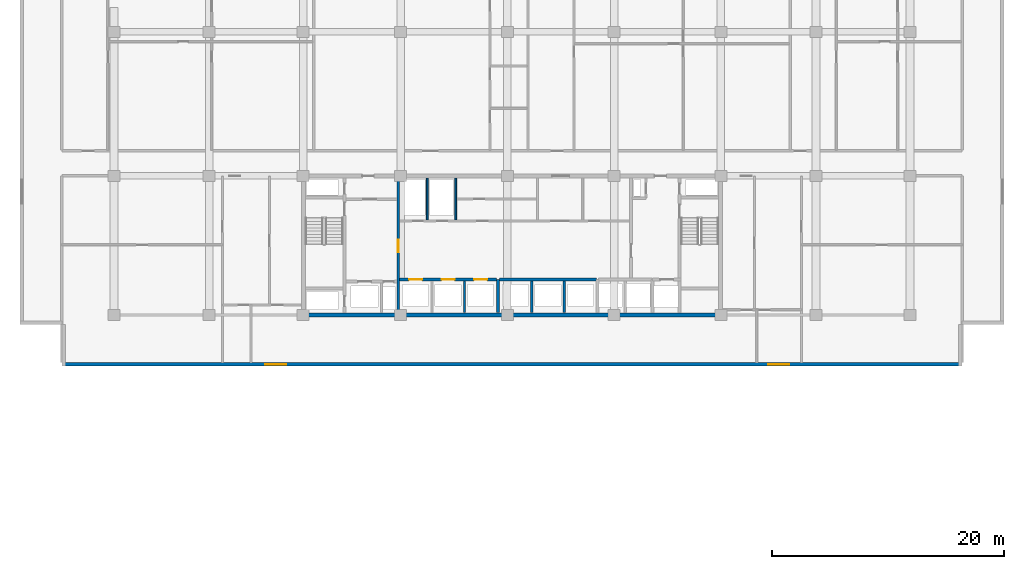
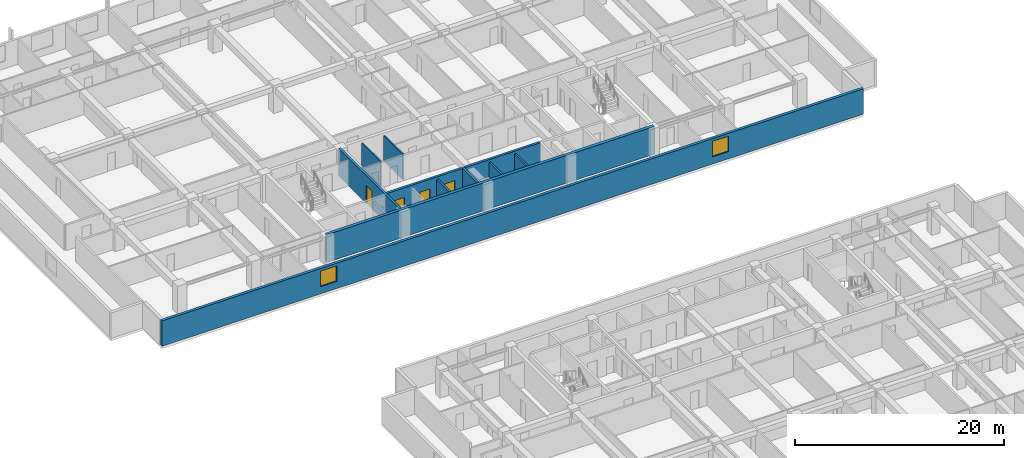
# One storey, part 11 of 23: 11 walls, 4 doors, 2 windows, 6 openings.
"""IFC4 building model written with IfcOpenShell, lengths in metres."""

import ifcopenshell
import ifcopenshell.guid

model = None  # the IFC model being written
_history = None  # IfcOwnerHistory: only IFC2X3 demands one
_inside = {}  # id of a spatial element -> (the spatial element, [elements in it])
_under = {}  # id of a project, library or spatial element -> (it, [spatial elements below it])
_declared = {}  # id of a project -> (the project, [libraries it declares])
_typed = {}  # id of a type object -> (the type object, [elements of that type])
_made_of = {}  # id of a material, layer set ... -> (it, [elements and type objects made of it])


def new_model(schema):
    """Start an empty IFC model of exactly this schema.

    Asked for "IFC4X3", IfcOpenShell would pick the latest addendum, in which some entities
    have other attributes; the version numbers below select the first issue.
    IFC2X3 requires an IfcOwnerHistory on every rooted entity: one is made here for all.
    """
    global model, _history
    if schema == "IFC4X3":
        model = ifcopenshell.file(schema_version=(4, 3, 0, 0))
    else:
        model = ifcopenshell.file(schema=schema)
    _inside.clear()
    _under.clear()
    _declared.clear()
    _typed.clear()
    _made_of.clear()
    _history = None
    if model.schema == "IFC2X3":
        org = make("IfcOrganization", Name="unknown")
        user = make(
            "IfcPersonAndOrganization",
            ThePerson=make("IfcPerson", FamilyName="unknown"),
            TheOrganization=org,
        )
        app = make(
            "IfcApplication",
            ApplicationDeveloper=org,
            Version="unknown",
            ApplicationFullName="unknown",
            ApplicationIdentifier="unknown",
        )
        _history = make(
            "IfcOwnerHistory",
            OwningUser=user,
            OwningApplication=app,
            ChangeAction="ADDED",
            CreationDate=0,
        )
    return model


def make(cls, **values):
    """One entity of the class cls with the attributes given. An attribute that is None is left unset."""
    return model.create_entity(
        cls, **{name: value for name, value in values.items() if value is not None}
    )


def rooted(cls, **values):
    """An entity with a GlobalId (a new one), such as an element, a storey or a relation."""
    return make(cls, GlobalId=ifcopenshell.guid.new(), OwnerHistory=_history, **values)


def si_unit(unit_type, name, prefix=None):
    """IfcSIUnit, for example si_unit("LENGTHUNIT", "METRE", prefix="MILLI")."""
    return make("IfcSIUnit", UnitType=unit_type, Prefix=prefix, Name=name)


def assignment(units):
    """IfcUnitAssignment: the units of a project."""
    return None if units is None else make("IfcUnitAssignment", Units=units)


def point(xyz):
    """IfcCartesianPoint."""
    return None if xyz is None else make("IfcCartesianPoint", Coordinates=xyz)


def direction(xyz):
    """IfcDirection."""
    return None if xyz is None else make("IfcDirection", DirectionRatios=xyz)


def frame(location, z_axis=None, x_axis=None):
    """IfcAxis2Placement3D, a coordinate frame: its origin and axes. An axis left out is left unset."""
    return make(
        "IfcAxis2Placement3D",
        Location=point(location),
        Axis=direction(z_axis),
        RefDirection=direction(x_axis),
    )


def frame_2d(location, x_axis=None):
    """IfcAxis2Placement2D, a coordinate frame in the plane: its origin and x axis."""
    return make(
        "IfcAxis2Placement2D", Location=point(location), RefDirection=direction(x_axis)
    )


def origin():
    """The frame at (0, 0, 0) with its axes left unset."""
    return frame((0.0, 0.0, 0.0))


def place(relative_to, where):
    """IfcLocalPlacement: puts the frame where relative to a parent placement (None: the world)."""
    return make(
        "IfcLocalPlacement", PlacementRelTo=relative_to, RelativePlacement=where
    )


def context(
    kind, dimensions, precision=None, world=None, true_north=None, identifier=None
):
    """IfcGeometricRepresentationContext, for example the 3D "Model" context."""
    return make(
        "IfcGeometricRepresentationContext",
        ContextIdentifier=identifier,
        ContextType=kind,
        CoordinateSpaceDimension=dimensions,
        Precision=precision,
        WorldCoordinateSystem=world,
        TrueNorth=true_north,
    )


def subcontext(parent, identifier, kind, view, scale=None):
    """IfcGeometricRepresentationSubContext, for example "Body" below "Model"."""
    return make(
        "IfcGeometricRepresentationSubContext",
        ContextIdentifier=identifier,
        ContextType=kind,
        ParentContext=parent,
        TargetScale=scale,
        TargetView=view,
    )


def project(units=None, contexts=None):
    """IfcProject with its units and contexts."""
    return rooted(
        "IfcProject",
        Name="project",
        RepresentationContexts=contexts,
        UnitsInContext=assignment(units),
    )


def spatial(cls, under=None, at=None, **own):
    """A site, building, storey or space (cls), placed at a placement, below another one or the project."""
    s = rooted(cls, ObjectPlacement=at, **own)
    if under is not None:
        _under.setdefault(under.id(), (under, []))[1].append(s)
    return s


def profile(cls, at=None, kind="AREA", **sizes):
    """A parametric profile (cls). Its sizes go by their IFC names, for example OverallWidth=200.0."""
    return make(cls, ProfileType=kind, Position=at, **sizes)


def rectangle(**sizes):
    """IfcRectangleProfileDef."""
    return profile("IfcRectangleProfileDef", **sizes)


def extrude(swept, where, along, depth):
    """IfcExtrudedAreaSolid: the profile swept, set in the frame where, extruded along a direction by depth."""
    return make(
        "IfcExtrudedAreaSolid",
        SweptArea=swept,
        Position=where,
        ExtrudedDirection=direction(along),
        Depth=depth,
    )


def shape(context_of_items, identifier, shape_type, items):
    """IfcShapeRepresentation: the items that make up one representation, for example the "Body"."""
    return make(
        "IfcShapeRepresentation",
        ContextOfItems=context_of_items,
        RepresentationIdentifier=identifier,
        RepresentationType=shape_type,
        Items=items,
    )


def material(Name=None, Category=None):
    """IfcMaterial."""
    return make("IfcMaterial", Name=Name, Category=Category)


def layer(
    of_material, thickness, ventilated=None, Name=None, Category=None, Priority=None
):
    """IfcMaterialLayer: one layer of a wall or slab, of a material (None: an air gap)."""
    return make(
        "IfcMaterialLayer",
        Material=of_material,
        LayerThickness=thickness,
        IsVentilated=ventilated,
        Name=Name,
        Category=Category,
        Priority=Priority,
    )


def layer_set(layers, Name=None):
    """IfcMaterialLayerSet."""
    return make("IfcMaterialLayerSet", MaterialLayers=layers, LayerSetName=Name)


def made_of(thing, what):
    """Note that an element or type object is made of a material, layer set ...; save() writes the relation."""
    if what is not None:
        _made_of.setdefault(what.id(), (what, []))[1].append(thing)
    return thing


def type_object(cls, material=None, **own):
    """A type object (cls), such as IfcWallType, which elements share."""
    return made_of(rooted(cls, **own), material)


def element(
    cls,
    number,
    at=None,
    inside=None,
    cuts=None,
    type_object=None,
    material=None,
    context=None,
    identifier="Body",
    shape_type=None,
    held_by="IfcProductDefinitionShape",
    body=None,
    shapes=None,
    **own,
):
    """One element of the class cls, such as IfcWall. Its Tag is "e" and its number.

    at: its placement. inside: the storey or other place that contains it. cuts: it is an
    opening in that element (IfcRelVoidsElement). A single representation is given by context,
    identifier, shape_type and body (its items); several are given by shapes. held_by: the class
    of the entity that holds the representations. save() writes the other relations.
    """
    e = rooted(cls, Tag="e%d" % number, ObjectPlacement=at, **own)
    if body is not None:
        shapes = [shape(context, identifier, shape_type, body)]
    if shapes is not None:
        e.Representation = make(held_by, Representations=shapes)
    if inside is not None:
        _inside.setdefault(inside.id(), (inside, []))[1].append(e)
    if cuts is not None:
        rooted(
            "IfcRelVoidsElement", RelatingBuildingElement=cuts, RelatedOpeningElement=e
        )
    if type_object is not None:
        _typed.setdefault(type_object.id(), (type_object, []))[1].append(e)
    return made_of(e, material)


def fill(opening, filler):
    """IfcRelFillsElement: the door or window that sits in an opening."""
    return rooted(
        "IfcRelFillsElement",
        RelatingOpeningElement=opening,
        RelatedBuildingElement=filler,
    )


def aggregate(whole, parts):
    """IfcRelAggregates: a whole, such as a stair, and the parts it consists of."""
    return rooted("IfcRelAggregates", RelatingObject=whole, RelatedObjects=parts)


def save(model, path):
    """Write the relations noted so far, then the file.

    IfcRelAggregates (storeys below a building ...), IfcRelContainedInSpatialStructure (elements
    in a storey), IfcRelDefinesByType, IfcRelAssociatesMaterial and IfcRelDeclares: one each for
    every whole, place, type object, material and project.
    """
    for whole, parts in _under.values():
        aggregate(whole, parts)
    for where, things in _inside.values():
        rooted(
            "IfcRelContainedInSpatialStructure",
            RelatedElements=things,
            RelatingStructure=where,
        )
    for kind, things in _typed.values():
        rooted("IfcRelDefinesByType", RelatedObjects=things, RelatingType=kind)
    for what, things in _made_of.values():
        rooted("IfcRelAssociatesMaterial", RelatedObjects=things, RelatingMaterial=what)
    for by, libraries in _declared.values():
        rooted("IfcRelDeclares", RelatingContext=by, RelatedDefinitions=libraries)
    model.write(path)


model = new_model("IFC4")

# Units and contexts
model_context = context("Model", 3, precision=1e-05, world=origin(), true_north=direction((0.0, 1.0)))
body_context = subcontext(model_context, "Body", "Model", "MODEL_VIEW")
ifc_project = project(units=[si_unit("LENGTHUNIT", "METRE"), si_unit("AREAUNIT", "SQUARE_METRE"), si_unit("VOLUMEUNIT", "CUBIC_METRE"), si_unit("PLANEANGLEUNIT", "RADIAN"), si_unit("MASSUNIT", "GRAM", prefix="KILO")], contexts=[model_context])

# Site, building, storey
site_placement = place(None, origin())
site = spatial("IfcSite", under=ifc_project, at=site_placement, CompositionType="ELEMENT")
building_placement = place(site_placement, origin())
building = spatial("IfcBuilding", under=site, at=building_placement, Name="Korimba Cascade Residences", CompositionType="ELEMENT")
storey_placement = place(building_placement, frame((0.0, 0.0, 53.25)))
storey = spatial("IfcBuildingStorey", under=building, at=storey_placement, Name="L14", CompositionType="ELEMENT", Elevation=53.25)

# Wall, openings, windows
ifc_material_1 = material(Name="Precast concrete C40/50", Category="concrete")
ifc_layer_1 = layer(ifc_material_1, 0.300048828125)
ifc_layer_set_1 = layer_set([ifc_layer_1], Name="Precast concrete C40/50")
wall_type_1 = type_object("IfcWallType", Name="EW-STONE-300", PredefinedType="STANDARD", material=ifc_layer_set_1)
wall_1_placement = place(storey_placement, frame((55.300048828125, 50.949951171875, 0.0), z_axis=(0.0, 0.0, 1.0), x_axis=(1.0, 0.0, 0.0)))
wall_1 = element("IfcWall", 1, at=wall_1_placement, inside=storey, type_object=wall_type_1, Name="L14 T1 Perimeter Stone Wall E00", PredefinedType="STANDARD", context=body_context, shape_type="SweptSolid", body=[
    extrude(rectangle(XDim=77.599853515625, YDim=0.300048828125, at=frame_2d((38.7998046875, 0.0))), origin(), (0.0, 0.0, 1.0), 2.969970703125),
])
opening_1_placement = place(wall_1_placement, frame((17.52490234375, 0.0, 0.85009765625)))
opening_1 = element("IfcOpeningElement", 2, at=opening_1_placement, cuts=wall_1, Name="Opening W-02", PredefinedType="OPENING", context=body_context, shape_type="SweptSolid", body=[
    extrude(rectangle(XDim=1.800048828125, YDim=1.800048828125, at=frame_2d((0.89990234375, 0.89990234375))), frame((0.0, 0.16015625, 0.0), z_axis=(0.0, -1.0, 0.0), x_axis=(1.0, 0.0, 0.0)), (0.0, 0.0, 1.0), 0.320068359375),
])
opening_2_placement = place(wall_1_placement, frame((60.875, 0.0, 0.85009765625)))
opening_2 = element("IfcOpeningElement", 3, at=opening_2_placement, cuts=wall_1, Name="Opening W-02", PredefinedType="OPENING", context=body_context, shape_type="SweptSolid", body=[
    extrude(rectangle(XDim=1.800048828125, YDim=1.800048828125, at=frame_2d((0.89990234375, 0.89990234375))), frame((0.0, 0.16015625, 0.0), z_axis=(0.0, -1.0, 0.0), x_axis=(1.0, 0.0, 0.0)), (0.0, 0.0, 1.0), 0.320068359375),
])
ifc_material_2 = material(Name="Double-Glazed Aluminium Window", Category="aluminium")
window_type = type_object("IfcWindowType", Name="WIN-BED-1800", PartitioningType="SINGLE_PANEL", PredefinedType="WINDOW", material=ifc_material_2)
window_1_placement = place(opening_1_placement, origin())
window_1 = element("IfcWindow", 4, at=window_1_placement, inside=storey, type_object=window_type, Name="L14 T1 South Corner Bedroom Window 1", OverallHeight=1.800048828125, OverallWidth=1.800048828125, PartitioningType="SINGLE_PANEL", PredefinedType="WINDOW", context=body_context, shape_type="SweptSolid", body=[
    extrude(rectangle(XDim=1.800048828125, YDim=1.800048828125, at=frame_2d((0.89990234375, 0.89990234375))), frame((0.0, 0.030029296875, 0.0), z_axis=(0.0, -1.0, 0.0), x_axis=(1.0, 0.0, 0.0)), (0.0, 0.0, 1.0), 0.06005859375),
])
fill(opening_1, window_1)
window_2_placement = place(opening_2_placement, origin())
window_2 = element("IfcWindow", 5, at=window_2_placement, inside=storey, type_object=window_type, Name="L14 T1 South Corner Bedroom Window 2", OverallHeight=1.800048828125, OverallWidth=1.800048828125, PartitioningType="SINGLE_PANEL", PredefinedType="WINDOW", context=body_context, shape_type="SweptSolid", body=[
    extrude(rectangle(XDim=1.800048828125, YDim=1.800048828125, at=frame_2d((0.89990234375, 0.89990234375))), frame((0.0, 0.030029296875, 0.0), z_axis=(0.0, -1.0, 0.0), x_axis=(1.0, 0.0, 0.0)), (0.0, 0.0, 1.0), 0.06005859375),
])
fill(opening_2, window_2)

# Walls
ifc_material_3 = material(Name="Concrete C65/80", Category="concrete")
ifc_layer_2 = layer(ifc_material_3, 0.35009765625)
ifc_layer_set_2 = layer_set([ifc_layer_2], Name="Concrete C65/80")
wall_type_2 = type_object("IfcWallType", Name="WAL-CORE-350", PredefinedType="SHEAR", material=ifc_layer_set_2)
wall_2_placement = place(storey_placement, frame((75.949951171875, 55.199951171875, 0.0), z_axis=(0.0, 0.0, 1.0), x_axis=(1.0, 0.0, 0.0)))
element("IfcWall", 6, at=wall_2_placement, inside=storey, type_object=wall_type_2, Name="L14 Core Shear Wall CW-L14-T1-S", PredefinedType="SHEAR", context=body_context, shape_type="SweptSolid", body=[
    extrude(rectangle(XDim=36.300048828125, YDim=0.35009765625, at=frame_2d((18.14990234375, 0.0))), origin(), (0.0, 0.0, 1.0), 3.25),
])
ifc_material_4 = material(Name="Insulated Acoustic Stud Partition", Category="gypsum")
ifc_layer_3 = layer(ifc_material_4, 0.14990234375)
ifc_layer_set_3 = layer_set([ifc_layer_3], Name="Insulated Acoustic Stud Partition")
wall_type_3 = type_object("IfcWallType", Name="WAL-PART-150", PredefinedType="PARTITIONING", material=ifc_layer_set_3)
for number, where, z_axis, x_axis, name in (
    (7, (86.800048828125, 63.39990234375, 0.0), (0.0, 0.0, 1.0), (0.0, 1.0, 0.0), "L14 Partition Wall CW-L14-T1-ERDIV"),
    (8, (89.25, 63.39990234375, 0.0), (0.0, 0.0, 1.0), (0.0, 1.0, 0.0), "L14 Partition Wall CW-L14-T1-PRDIV"),
):
    element("IfcWall", number, at=place(storey_placement, frame(where, z_axis=z_axis, x_axis=x_axis)), inside=storey, type_object=wall_type_3, Name=name, PredefinedType="PARTITIONING", context=body_context, shape_type="SweptSolid", body=[
        extrude(rectangle(XDim=3.60009765625, YDim=0.14990234375, at=frame_2d((1.800048828125, 0.0))), origin(), (0.0, 0.0, 1.0), 2.969970703125),
    ])
ifc_material_5 = material(Name="Concrete C40/50", Category="concrete")
ifc_layer_4 = layer(ifc_material_5, 0.199951171875)
ifc_layer_set_4 = layer_set([ifc_layer_4], Name="Concrete C40/50")
wall_type_4 = type_object("IfcWallType", Name="WAL-PART-200", PredefinedType="PARTITIONING", material=ifc_layer_set_4)
for number, where, z_axis, x_axis, name in (
    (9, (90.0, 55.39990234375, 0.0), (0.0, 0.0, 1.0), (0.0, 1.0, 0.0), "L14 Partition Wall CW-L14-T1-B1D2"),
    (10, (95.800048828125, 55.39990234375, 0.0), (0.0, 0.0, 1.0), (0.0, 1.0, 0.0), "L14 Partition Wall CW-L14-T1-B2D1"),
    (11, (98.60009765625, 55.39990234375, 0.0), (0.0, 0.0, 1.0), (0.0, 1.0, 0.0), "L14 Partition Wall CW-L14-T1-B2D2"),
):
    element("IfcWall", number, at=place(storey_placement, frame(where, z_axis=z_axis, x_axis=x_axis)), inside=storey, type_object=wall_type_4, Name=name, PredefinedType="PARTITIONING", context=body_context, shape_type="SweptSolid", body=[
        extrude(rectangle(XDim=2.72021484375, YDim=0.199951171875, at=frame_2d((1.360107421875, 0.0))), origin(), (0.0, 0.0, 1.0), 2.969970703125),
    ])

# Wall, opening, door
ifc_material_6 = material(Name="Concrete C50/60", Category="concrete")
ifc_layer_5 = layer(ifc_material_6, 0.25)
ifc_layer_set_5 = layer_set([ifc_layer_5], Name="Concrete C50/60")
wall_type_5 = type_object("IfcWallType", Name="WAL-SHAFT-250", PredefinedType="SHEAR", material=ifc_layer_set_5)
wall_3_placement = place(storey_placement, frame((84.300048828125, 55.39990234375, 0.0), z_axis=(0.0, 0.0, 1.0), x_axis=(0.0, 1.0, 0.0)))
wall_3 = element("IfcWall", 12, at=wall_3_placement, inside=storey, type_object=wall_type_5, Name="L14 Core Shear Wall CW-L14-T1-FFLE", PredefinedType="SHEAR", context=body_context, shape_type="SweptSolid", body=[
    extrude(rectangle(XDim=11.60009765625, YDim=0.25, at=frame_2d((5.800048828125, 0.0))), origin(), (0.0, 0.0, 1.0), 3.25),
])
opening_3_placement = place(wall_3_placement, frame((5.199951171875, 0.0, 0.0)))
opening_3 = element("IfcOpeningElement", 13, at=opening_3_placement, cuts=wall_3, Name="Opening D-FD1", PredefinedType="OPENING", context=body_context, shape_type="SweptSolid", body=[
    extrude(rectangle(XDim=1.10009765625, YDim=2.10009765625, at=frame_2d((0.550048828125, 1.050048828125))), frame((0.0, 0.135009765625, 0.0), z_axis=(0.0, -1.0, 0.0), x_axis=(1.0, 0.0, 0.0)), (0.0, 0.0, 1.0), 0.27001953125),
])
ifc_material_7 = material(Name="Fire-Rated Steel Core Door", Category="steel")
door_type_1 = type_object("IfcDoorType", Name="DR-FD120-1100", OperationType="NOTDEFINED", PredefinedType="DOOR", material=ifc_material_7)
door_1_placement = place(opening_3_placement, origin())
door_1 = element("IfcDoor", 14, at=door_1_placement, inside=storey, type_object=door_type_1, Name="L14 Firefighting Lobby to Lift Lobby Door", OperationType="SINGLE_SWING_LEFT", OverallHeight=2.10009765625, OverallWidth=1.10009765625, PredefinedType="DOOR", context=body_context, shape_type="SweptSolid", body=[
    extrude(rectangle(XDim=1.10009765625, YDim=2.10009765625, at=frame_2d((0.550048828125, 1.050048828125))), frame((0.0, 0.02490234375, 0.0), z_axis=(0.0, -1.0, 0.0), x_axis=(1.0, 0.0, 0.0)), (0.0, 0.0, 1.0), 0.050048828125),
])
fill(opening_3, door_1)

# Wall, openings, doors
wall_4_placement = place(storey_placement, frame((84.419921875, 58.25, 0.0), z_axis=(0.0, 0.0, 1.0), x_axis=(1.0, 0.0, 0.0)))
wall_4 = element("IfcWall", 15, at=wall_4_placement, inside=storey, type_object=wall_type_5, Name="L14 Core Shear Wall CW-L14-T1-B1N", PredefinedType="SHEAR", context=body_context, shape_type="SweptSolid", body=[
    extrude(rectangle(XDim=8.360107421875, YDim=0.25, at=frame_2d((4.18017578125, 0.0))), origin(), (0.0, 0.0, 1.0), 3.25),
])
opening_4_placement = place(wall_4_placement, frame((0.820068359375, 0.0, 0.0)))
opening_4 = element("IfcOpeningElement", 16, at=opening_4_placement, cuts=wall_4, Name="Opening LD-01", PredefinedType="OPENING", context=body_context, shape_type="SweptSolid", body=[
    extrude(rectangle(XDim=1.1201171875, YDim=2.1201171875, at=frame_2d((0.56005859375, 1.06005859375))), frame((0.0, 0.135009765625, 0.0), z_axis=(0.0, -1.0, 0.0), x_axis=(1.0, 0.0, 0.0)), (0.0, 0.0, 1.0), 0.27001953125),
])
opening_5_placement = place(wall_4_placement, frame((3.6201171875, 0.0, 0.0)))
opening_5 = element("IfcOpeningElement", 17, at=opening_5_placement, cuts=wall_4, Name="Opening LD-01", PredefinedType="OPENING", context=body_context, shape_type="SweptSolid", body=[
    extrude(rectangle(XDim=1.1201171875, YDim=2.1201171875, at=frame_2d((0.56005859375, 1.06005859375))), frame((0.0, 0.135009765625, 0.0), z_axis=(0.0, -1.0, 0.0), x_axis=(1.0, 0.0, 0.0)), (0.0, 0.0, 1.0), 0.27001953125),
])
opening_6_placement = place(wall_4_placement, frame((6.419921875, 0.0, 0.0)))
opening_6 = element("IfcOpeningElement", 18, at=opening_6_placement, cuts=wall_4, Name="Opening LD-01", PredefinedType="OPENING", context=body_context, shape_type="SweptSolid", body=[
    extrude(rectangle(XDim=1.1201171875, YDim=2.1201171875, at=frame_2d((0.56005859375, 1.06005859375))), frame((0.0, 0.135009765625, 0.0), z_axis=(0.0, -1.0, 0.0), x_axis=(1.0, 0.0, 0.0)), (0.0, 0.0, 1.0), 0.27001953125),
])
ifc_material_8 = material(Name="Stainless Steel Lift Landing Sliding Door", Category="steel")
door_type_2 = type_object("IfcDoorType", Name="DR-LIFT-1100", OperationType="NOTDEFINED", PredefinedType="DOOR", material=ifc_material_8)
door_2_placement = place(opening_4_placement, origin())
door_2 = element("IfcDoor", 19, at=door_2_placement, inside=storey, type_object=door_type_2, Name="L14 Lift Landing Door PL-W1", OperationType="SLIDING_TO_LEFT", OverallHeight=2.1201171875, OverallWidth=1.1201171875, PredefinedType="DOOR", context=body_context, shape_type="SweptSolid", body=[
    extrude(rectangle(XDim=1.1201171875, YDim=2.1201171875, at=frame_2d((0.56005859375, 1.06005859375))), frame((0.0, 0.02490234375, 0.0), z_axis=(0.0, -1.0, 0.0), x_axis=(1.0, 0.0, 0.0)), (0.0, 0.0, 1.0), 0.050048828125),
])
fill(opening_4, door_2)
door_3_placement = place(opening_5_placement, origin())
door_3 = element("IfcDoor", 20, at=door_3_placement, inside=storey, type_object=door_type_2, Name="L14 Lift Landing Door PL-W2", OperationType="SLIDING_TO_LEFT", OverallHeight=2.1201171875, OverallWidth=1.1201171875, PredefinedType="DOOR", context=body_context, shape_type="SweptSolid", body=[
    extrude(rectangle(XDim=1.1201171875, YDim=2.1201171875, at=frame_2d((0.56005859375, 1.06005859375))), frame((0.0, 0.02490234375, 0.0), z_axis=(0.0, -1.0, 0.0), x_axis=(1.0, 0.0, 0.0)), (0.0, 0.0, 1.0), 0.050048828125),
])
fill(opening_5, door_3)
door_4_placement = place(opening_6_placement, origin())
door_4 = element("IfcDoor", 21, at=door_4_placement, inside=storey, type_object=door_type_2, Name="L14 Lift Landing Door PL-W3", OperationType="SLIDING_TO_LEFT", OverallHeight=2.1201171875, OverallWidth=1.1201171875, PredefinedType="DOOR", context=body_context, shape_type="SweptSolid", body=[
    extrude(rectangle(XDim=1.1201171875, YDim=2.1201171875, at=frame_2d((0.56005859375, 1.06005859375))), frame((0.0, 0.02490234375, 0.0), z_axis=(0.0, -1.0, 0.0), x_axis=(1.0, 0.0, 0.0)), (0.0, 0.0, 1.0), 0.050048828125),
])
fill(opening_6, door_4)

# Walls
wall_5_placement = place(storey_placement, frame((92.89990234375, 55.39990234375, 0.0), z_axis=(0.0, 0.0, 1.0), x_axis=(0.0, 1.0, 0.0)))
element("IfcWall", 22, at=wall_5_placement, inside=storey, type_object=wall_type_5, Name="L14 Core Shear Wall CW-L14-T1-B12DIV", PredefinedType="SHEAR", context=body_context, shape_type="SweptSolid", body=[
    extrude(rectangle(XDim=2.85009765625, YDim=0.25, at=frame_2d((1.425048828125, 0.0))), origin(), (0.0, 0.0, 1.0), 3.25),
])
wall_6_placement = place(storey_placement, frame((93.02001953125, 58.25, 0.0), z_axis=(0.0, 0.0, 1.0), x_axis=(1.0, 0.0, 0.0)))
element("IfcWall", 23, at=wall_6_placement, inside=storey, type_object=wall_type_5, Name="L14 Core Shear Wall CW-L14-T1-B2N", PredefinedType="SHEAR", context=body_context, shape_type="SweptSolid", body=[
    extrude(rectangle(XDim=8.35986328125, YDim=0.25, at=frame_2d((4.179931640625, 0.0))), origin(), (0.0, 0.0, 1.0), 3.25),
])

save(model, "model.ifc")
